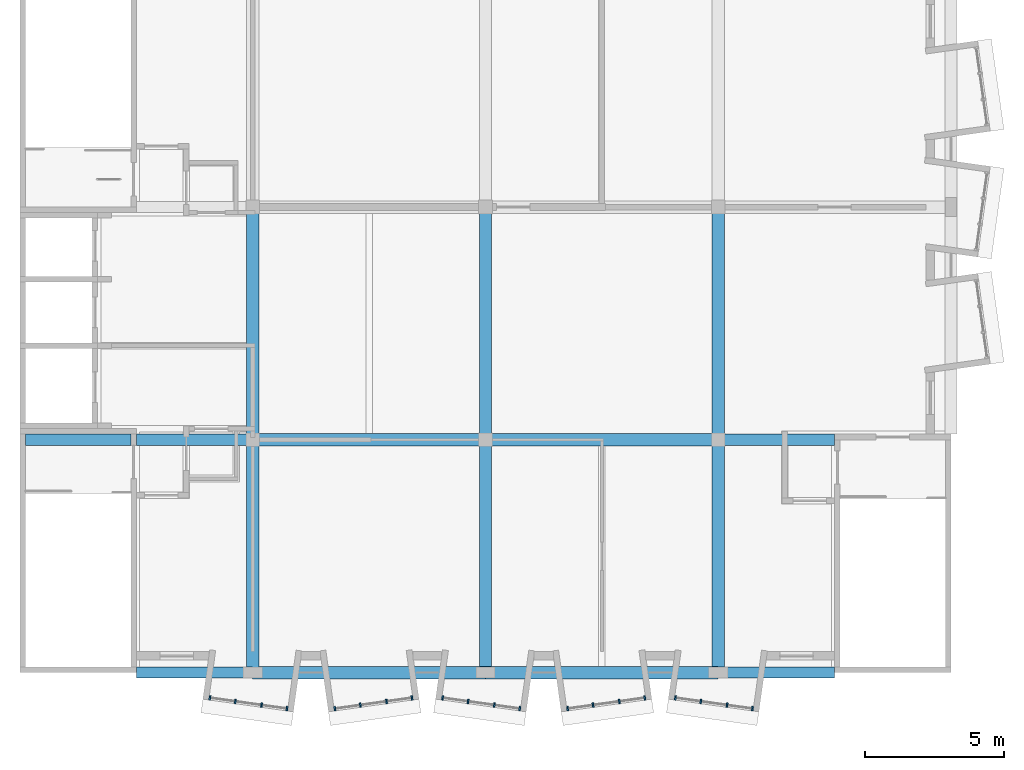
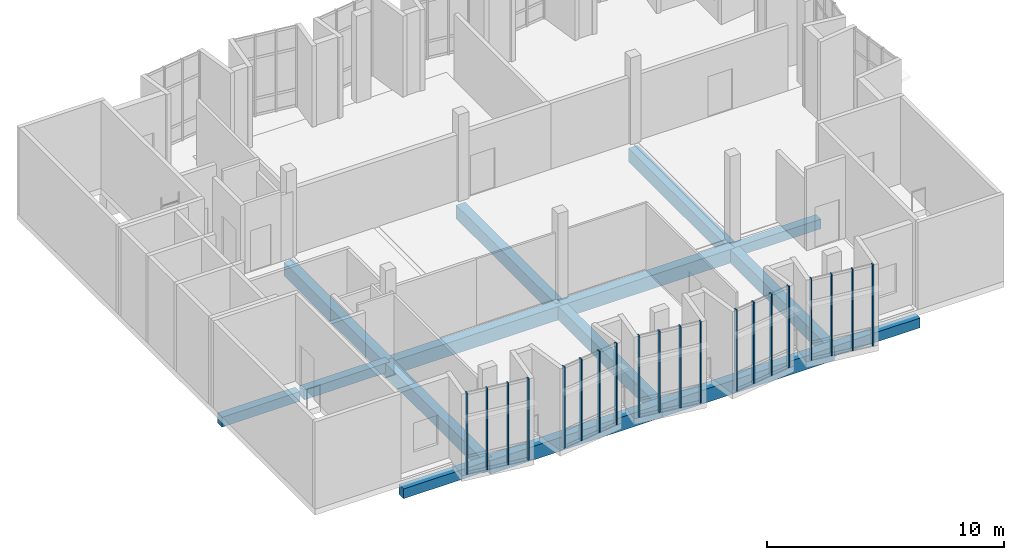
# One storey, part 2 of 15: 20 members, 15 beams, 5 elements without a shape of their own.
"""IFC4 building model written with IfcOpenShell, lengths in metres."""

from ifc_helpers import new_model, si_unit, direction, frame, origin, origin_2d, place, context, subcontext, project, spatial, rectangle, extrude, material, layer, layer_set, material_profile, profile_set, type_object, element, aggregate, save


model = new_model("IFC4")

# Units and contexts
model_context = context("Model", 3, precision=1e-05, world=origin(), true_north=direction((0.0, 1.0)))
body_context = subcontext(model_context, "Body", "Model", "MODEL_VIEW")
ifc_project = project(units=[si_unit("LENGTHUNIT", "METRE"), si_unit("AREAUNIT", "SQUARE_METRE"), si_unit("VOLUMEUNIT", "CUBIC_METRE"), si_unit("PLANEANGLEUNIT", "RADIAN"), si_unit("MASSUNIT", "GRAM", prefix="KILO")], contexts=[model_context])

# Site, building, storey
site_placement = place(None, origin())
site = spatial("IfcSite", under=ifc_project, at=site_placement, CompositionType="ELEMENT")
building_placement = place(site_placement, origin())
building = spatial("IfcBuilding", under=site, at=building_placement, Name="Kiln Court Media Centre", CompositionType="ELEMENT")
storey_placement = place(building_placement, frame((0.0, 0.0, 38.10009765625)))
storey = spatial("IfcBuildingStorey", under=building, at=storey_placement, Name="L08", CompositionType="ELEMENT", Elevation=38.10009765625)

# Curtain wall, members
ifc_material_1 = material(Name="Aluminium 6063-T6", Category="aluminium")
ifc_layer = layer(ifc_material_1, 0.1201171875)
ifc_layer_set = layer_set([ifc_layer], Name="Aluminium unitised bay curtain wall")
curtain_wall_type = type_object("IfcCurtainWallType", Name="Aluminium unitised bay curtain wall", PredefinedType="USERDEFINED", material=ifc_layer_set)
curtain_wall_1_placement = place(storey_placement, origin())
curtain_wall_1 = element("IfcCurtainWall", 1, at=curtain_wall_1_placement, inside=storey, type_object=curtain_wall_type, Name="BAY V6A-S-L08-55 front", ObjectType="UNITISED CURTAIN WALL", PredefinedType="USERDEFINED")
ifc_material_2 = material(Name="Aluminium 6063-T6", Category="aluminium")
ifc_material_profile_1 = material_profile(ifc_material_2, rectangle(XDim=0.06005859375, YDim=0.159912109375, at=origin_2d()), Name="Aluminium mullion 60x160")
ifc_profile_set_1 = profile_set([ifc_material_profile_1], Name="Aluminium 6063-T6")
member_type = type_object("IfcMemberType", Name="Aluminium mullion 60x160", PredefinedType="MULLION", material=ifc_profile_set_1)
member_1_placement = place(storey_placement, frame((6.852783203125, -0.91357421875, 0.0), z_axis=(0.0, 0.0, 1.0), x_axis=(0.990269562409, -0.139162472554, 0.0)))
member_1 = element("IfcMember", 2, at=member_1_placement, type_object=member_type, Name="CW8-10 mullion 1", PredefinedType="MULLION", context=body_context, shape_type="SweptSolid", body=[
    extrude(rectangle(XDim=0.06005859375, YDim=0.159912109375, at=origin_2d()), origin(), (0.0, 0.0, 1.0), 4.199951171875),
])
member_2_placement = place(storey_placement, frame((7.7705078125, -1.04248046875, 0.0), z_axis=(0.0, 0.0, 1.0), x_axis=(0.990269562409, -0.139162472554, 0.0)))
member_2 = element("IfcMember", 3, at=member_2_placement, type_object=member_type, Name="CW8-10 mullion 2", PredefinedType="MULLION", context=body_context, shape_type="SweptSolid", body=[
    extrude(rectangle(XDim=0.06005859375, YDim=0.159912109375, at=origin_2d()), origin(), (0.0, 0.0, 1.0), 4.199951171875),
])
member_3_placement = place(storey_placement, frame((8.7177734375, -1.17578125, 0.0), z_axis=(0.0, 0.0, 1.0), x_axis=(0.990269562409, -0.139162472554, 0.0)))
member_3 = element("IfcMember", 4, at=member_3_placement, type_object=member_type, Name="CW8-10 mullion 3", PredefinedType="MULLION", context=body_context, shape_type="SweptSolid", body=[
    extrude(rectangle(XDim=0.06005859375, YDim=0.159912109375, at=origin_2d()), origin(), (0.0, 0.0, 1.0), 4.199951171875),
])
member_4_placement = place(storey_placement, frame((9.635498046875, -1.3046875, 0.0), z_axis=(0.0, 0.0, 1.0), x_axis=(0.990269562409, -0.139162472554, 0.0)))
member_4 = element("IfcMember", 5, at=member_4_placement, type_object=member_type, Name="CW8-10 mullion 4", PredefinedType="MULLION", context=body_context, shape_type="SweptSolid", body=[
    extrude(rectangle(XDim=0.06005859375, YDim=0.159912109375, at=origin_2d()), origin(), (0.0, 0.0, 1.0), 4.199951171875),
])
aggregate(curtain_wall_1, [member_1, member_2, member_3, member_4])

curtain_wall_2_placement = place(storey_placement, origin())
curtain_wall_2 = element("IfcCurtainWall", 6, at=curtain_wall_2_placement, inside=storey, type_object=curtain_wall_type, Name="BAY V6A-S-L08-56 front", ObjectType="UNITISED CURTAIN WALL", PredefinedType="USERDEFINED")
member_5_placement = place(storey_placement, frame((11.364501953125, -1.3046875, 0.0), z_axis=(0.0, 0.0, 1.0), x_axis=(0.990269562409, 0.139162472554, 0.0)))
member_5 = element("IfcMember", 7, at=member_5_placement, type_object=member_type, Name="CW8-11 mullion 1", PredefinedType="MULLION", context=body_context, shape_type="SweptSolid", body=[
    extrude(rectangle(XDim=0.06005859375, YDim=0.159912109375, at=origin_2d()), origin(), (0.0, 0.0, 1.0), 4.199951171875),
])
member_6_placement = place(storey_placement, frame((12.2822265625, -1.17578125, 0.0), z_axis=(0.0, 0.0, 1.0), x_axis=(0.990269562409, 0.139162472554, 0.0)))
member_6 = element("IfcMember", 8, at=member_6_placement, type_object=member_type, Name="CW8-11 mullion 2", PredefinedType="MULLION", context=body_context, shape_type="SweptSolid", body=[
    extrude(rectangle(XDim=0.06005859375, YDim=0.159912109375, at=origin_2d()), origin(), (0.0, 0.0, 1.0), 4.199951171875),
])
member_7_placement = place(storey_placement, frame((13.2294921875, -1.04248046875, 0.0), z_axis=(0.0, 0.0, 1.0), x_axis=(0.990269562409, 0.139162472554, 0.0)))
member_7 = element("IfcMember", 9, at=member_7_placement, type_object=member_type, Name="CW8-11 mullion 3", PredefinedType="MULLION", context=body_context, shape_type="SweptSolid", body=[
    extrude(rectangle(XDim=0.06005859375, YDim=0.159912109375, at=origin_2d()), origin(), (0.0, 0.0, 1.0), 4.199951171875),
])
member_8_placement = place(storey_placement, frame((14.147216796875, -0.91357421875, 0.0), z_axis=(0.0, 0.0, 1.0), x_axis=(0.990269562409, 0.139162472554, 0.0)))
member_8 = element("IfcMember", 10, at=member_8_placement, type_object=member_type, Name="CW8-11 mullion 4", PredefinedType="MULLION", context=body_context, shape_type="SweptSolid", body=[
    extrude(rectangle(XDim=0.06005859375, YDim=0.159912109375, at=origin_2d()), origin(), (0.0, 0.0, 1.0), 4.199951171875),
])
aggregate(curtain_wall_2, [member_5, member_6, member_7, member_8])

curtain_wall_3_placement = place(storey_placement, origin())
curtain_wall_3 = element("IfcCurtainWall", 11, at=curtain_wall_3_placement, inside=storey, type_object=curtain_wall_type, Name="BAY V6A-S-L08-57 front", ObjectType="UNITISED CURTAIN WALL", PredefinedType="USERDEFINED")
member_9_placement = place(storey_placement, frame((15.2529296875, -0.91357421875, 0.0), z_axis=(0.0, 0.0, 1.0), x_axis=(0.990269562409, -0.139162472554, 0.0)))
member_9 = element("IfcMember", 12, at=member_9_placement, type_object=member_type, Name="CW8-12 mullion 1", PredefinedType="MULLION", context=body_context, shape_type="SweptSolid", body=[
    extrude(rectangle(XDim=0.06005859375, YDim=0.159912109375, at=origin_2d()), origin(), (0.0, 0.0, 1.0), 4.199951171875),
])
member_10_placement = place(storey_placement, frame((16.17041015625, -1.04248046875, 0.0), z_axis=(0.0, 0.0, 1.0), x_axis=(0.990269562409, -0.139162472554, 0.0)))
member_10 = element("IfcMember", 13, at=member_10_placement, type_object=member_type, Name="CW8-12 mullion 2", PredefinedType="MULLION", context=body_context, shape_type="SweptSolid", body=[
    extrude(rectangle(XDim=0.06005859375, YDim=0.159912109375, at=origin_2d()), origin(), (0.0, 0.0, 1.0), 4.199951171875),
])
member_11_placement = place(storey_placement, frame((17.117919921875, -1.17578125, 0.0), z_axis=(0.0, 0.0, 1.0), x_axis=(0.990269562409, -0.139162472554, 0.0)))
member_11 = element("IfcMember", 14, at=member_11_placement, type_object=member_type, Name="CW8-12 mullion 3", PredefinedType="MULLION", context=body_context, shape_type="SweptSolid", body=[
    extrude(rectangle(XDim=0.06005859375, YDim=0.159912109375, at=origin_2d()), origin(), (0.0, 0.0, 1.0), 4.199951171875),
])
member_12_placement = place(storey_placement, frame((18.035400390625, -1.3046875, 0.0), z_axis=(0.0, 0.0, 1.0), x_axis=(0.990269562409, -0.139162472554, 0.0)))
member_12 = element("IfcMember", 15, at=member_12_placement, type_object=member_type, Name="CW8-12 mullion 4", PredefinedType="MULLION", context=body_context, shape_type="SweptSolid", body=[
    extrude(rectangle(XDim=0.06005859375, YDim=0.159912109375, at=origin_2d()), origin(), (0.0, 0.0, 1.0), 4.199951171875),
])
aggregate(curtain_wall_3, [member_9, member_10, member_11, member_12])

curtain_wall_4_placement = place(storey_placement, origin())
curtain_wall_4 = element("IfcCurtainWall", 16, at=curtain_wall_4_placement, inside=storey, type_object=curtain_wall_type, Name="BAY V6A-S-L08-58 front", ObjectType="UNITISED CURTAIN WALL", PredefinedType="USERDEFINED")
member_13_placement = place(storey_placement, frame((19.764404296875, -1.3046875, 0.0), z_axis=(0.0, 0.0, 1.0), x_axis=(0.990269562409, 0.139162472554, 0.0)))
member_13 = element("IfcMember", 17, at=member_13_placement, type_object=member_type, Name="CW8-13 mullion 1", PredefinedType="MULLION", context=body_context, shape_type="SweptSolid", body=[
    extrude(rectangle(XDim=0.06005859375, YDim=0.159912109375, at=origin_2d()), origin(), (0.0, 0.0, 1.0), 4.199951171875),
])
member_14_placement = place(storey_placement, frame((20.68212890625, -1.17578125, 0.0), z_axis=(0.0, 0.0, 1.0), x_axis=(0.990269562409, 0.139162472554, 0.0)))
member_14 = element("IfcMember", 18, at=member_14_placement, type_object=member_type, Name="CW8-13 mullion 2", PredefinedType="MULLION", context=body_context, shape_type="SweptSolid", body=[
    extrude(rectangle(XDim=0.06005859375, YDim=0.159912109375, at=origin_2d()), origin(), (0.0, 0.0, 1.0), 4.199951171875),
])
member_15_placement = place(storey_placement, frame((21.629638671875, -1.04248046875, 0.0), z_axis=(0.0, 0.0, 1.0), x_axis=(0.990269562409, 0.139162472554, 0.0)))
member_15 = element("IfcMember", 19, at=member_15_placement, type_object=member_type, Name="CW8-13 mullion 3", PredefinedType="MULLION", context=body_context, shape_type="SweptSolid", body=[
    extrude(rectangle(XDim=0.06005859375, YDim=0.159912109375, at=origin_2d()), origin(), (0.0, 0.0, 1.0), 4.199951171875),
])
member_16_placement = place(storey_placement, frame((22.547119140625, -0.91357421875, 0.0), z_axis=(0.0, 0.0, 1.0), x_axis=(0.990269562409, 0.139162472554, 0.0)))
member_16 = element("IfcMember", 20, at=member_16_placement, type_object=member_type, Name="CW8-13 mullion 4", PredefinedType="MULLION", context=body_context, shape_type="SweptSolid", body=[
    extrude(rectangle(XDim=0.06005859375, YDim=0.159912109375, at=origin_2d()), origin(), (0.0, 0.0, 1.0), 4.199951171875),
])
aggregate(curtain_wall_4, [member_13, member_14, member_15, member_16])

curtain_wall_5_placement = place(storey_placement, origin())
curtain_wall_5 = element("IfcCurtainWall", 21, at=curtain_wall_5_placement, inside=storey, type_object=curtain_wall_type, Name="BAY V6A-S-L08-59 front", ObjectType="UNITISED CURTAIN WALL", PredefinedType="USERDEFINED")
member_17_placement = place(storey_placement, frame((23.65283203125, -0.91357421875, 0.0), z_axis=(0.0, 0.0, 1.0), x_axis=(0.990269562409, -0.139162472554, 0.0)))
member_17 = element("IfcMember", 22, at=member_17_placement, type_object=member_type, Name="CW8-14 mullion 1", PredefinedType="MULLION", context=body_context, shape_type="SweptSolid", body=[
    extrude(rectangle(XDim=0.06005859375, YDim=0.159912109375, at=origin_2d()), origin(), (0.0, 0.0, 1.0), 4.199951171875),
])
member_18_placement = place(storey_placement, frame((24.570556640625, -1.04248046875, 0.0), z_axis=(0.0, 0.0, 1.0), x_axis=(0.990269562409, -0.139162472554, 0.0)))
member_18 = element("IfcMember", 23, at=member_18_placement, type_object=member_type, Name="CW8-14 mullion 2", PredefinedType="MULLION", context=body_context, shape_type="SweptSolid", body=[
    extrude(rectangle(XDim=0.06005859375, YDim=0.159912109375, at=origin_2d()), origin(), (0.0, 0.0, 1.0), 4.199951171875),
])
member_19_placement = place(storey_placement, frame((25.517822265625, -1.17578125, 0.0), z_axis=(0.0, 0.0, 1.0), x_axis=(0.990269562409, -0.139162472554, 0.0)))
member_19 = element("IfcMember", 24, at=member_19_placement, type_object=member_type, Name="CW8-14 mullion 3", PredefinedType="MULLION", context=body_context, shape_type="SweptSolid", body=[
    extrude(rectangle(XDim=0.06005859375, YDim=0.159912109375, at=origin_2d()), origin(), (0.0, 0.0, 1.0), 4.199951171875),
])
member_20_placement = place(storey_placement, frame((26.435546875, -1.3046875, 0.0), z_axis=(0.0, 0.0, 1.0), x_axis=(0.990269562409, -0.139162472554, 0.0)))
member_20 = element("IfcMember", 25, at=member_20_placement, type_object=member_type, Name="CW8-14 mullion 4", PredefinedType="MULLION", context=body_context, shape_type="SweptSolid", body=[
    extrude(rectangle(XDim=0.06005859375, YDim=0.159912109375, at=origin_2d()), origin(), (0.0, 0.0, 1.0), 4.199951171875),
])
aggregate(curtain_wall_5, [member_17, member_18, member_19, member_20])

# Beams
ifc_material_3 = material(Name="Concrete C30/37", Category="concrete")
ifc_material_profile_2 = material_profile(ifc_material_3, rectangle(XDim=0.39990234375, YDim=0.5, at=origin_2d()), Name="RC 400x500")
ifc_profile_set_2 = profile_set([ifc_material_profile_2], Name="Concrete C30/37")
beam_type_1 = type_object("IfcBeamType", Name="Concrete C30/37 beam 400x500", PredefinedType="BEAM", material=ifc_profile_set_2)
for number, where, z_axis, x_axis, name in (
    (26, (4.199951171875, 0.0, -0.550048828125), (1.0, 0.0, 0.0), (0.0, 1.0, 0.0), "L08-B-1011"),
    (27, (25.199951171875, 0.0, -0.550048828125), (1.0, 0.0, 0.0), (0.0, 1.0, 0.0), "L08-B-1014"),
):
    element("IfcBeam", number, at=place(storey_placement, frame(where, z_axis=z_axis, x_axis=x_axis)), inside=storey, type_object=beam_type_1, Name=name, PredefinedType="BEAM", context=body_context, shape_type="SweptSolid", body=[
        extrude(rectangle(XDim=0.39990234375, YDim=0.5, at=origin_2d()), origin(), (0.0, 0.0, 1.0), 4.199951171875),
    ])
beam_1_placement = place(storey_placement, frame((0.199951171875, 8.39990234375, -0.550048828125), z_axis=(1.0, 0.0, 0.0), x_axis=(0.0, 1.0, 0.0)))
element("IfcBeam", 28, at=beam_1_placement, inside=storey, type_object=beam_type_1, Name="L08-B-1015", PredefinedType="BEAM", context=body_context, shape_type="SweptSolid", body=[
    extrude(rectangle(XDim=0.39990234375, YDim=0.5, at=origin_2d()), origin(), (0.0, 0.0, 1.0), 3.800048828125),
])
for number, where, z_axis, x_axis, name in (
    (29, (4.199951171875, 8.39990234375, -0.550048828125), (1.0, 0.0, 0.0), (0.0, 1.0, 0.0), "L08-B-1016"),
    (30, (25.199951171875, 8.39990234375, -0.550048828125), (1.0, 0.0, 0.0), (0.0, 1.0, 0.0), "L08-B-1019"),
):
    element("IfcBeam", number, at=place(storey_placement, frame(where, z_axis=z_axis, x_axis=x_axis)), inside=storey, type_object=beam_type_1, Name=name, PredefinedType="BEAM", context=body_context, shape_type="SweptSolid", body=[
        extrude(rectangle(XDim=0.39990234375, YDim=0.5, at=origin_2d()), origin(), (0.0, 0.0, 1.0), 4.199951171875),
    ])
ifc_material_4 = material(Name="Concrete C30/37", Category="concrete")
ifc_material_profile_3 = material_profile(ifc_material_4, rectangle(XDim=0.449951171875, YDim=0.699951171875, at=origin_2d()), Name="RC 450x700")
ifc_profile_set_3 = profile_set([ifc_material_profile_3], Name="Concrete C30/37")
beam_type_2 = type_object("IfcBeamType", Name="Concrete C30/37 beam 450x700", PredefinedType="BEAM", material=ifc_profile_set_3)
beam_2_placement = place(storey_placement, frame((8.39990234375, 0.0, -0.650146484375), z_axis=(0.0, 1.0, 0.0), x_axis=(-1.0, 0.0, 0.0)))
element("IfcBeam", 31, at=beam_2_placement, inside=storey, type_object=beam_type_2, Name="L08-B-1000", PredefinedType="BEAM", context=body_context, shape_type="SweptSolid", body=[
    extrude(rectangle(XDim=0.449951171875, YDim=0.699951171875, at=origin_2d()), origin(), (0.0, 0.0, 1.0), 8.39990234375),
])
beam_3_placement = place(storey_placement, frame((8.39990234375, 8.39990234375, -0.650146484375), z_axis=(0.0, 1.0, 0.0), x_axis=(-1.0, 0.0, 0.0)))
element("IfcBeam", 32, at=beam_3_placement, inside=storey, type_object=beam_type_2, Name="L08-B-1001", PredefinedType="BEAM", context=body_context, shape_type="SweptSolid", body=[
    extrude(rectangle(XDim=0.449951171875, YDim=0.699951171875, at=origin_2d()), origin(), (0.0, 0.0, 1.0), 8.400146484375),
])
beam_4_placement = place(storey_placement, frame((16.800048828125, 0.0, -0.650146484375), z_axis=(0.0, 1.0, 0.0), x_axis=(-1.0, 0.0, 0.0)))
element("IfcBeam", 33, at=beam_4_placement, inside=storey, type_object=beam_type_2, Name="L08-B-1003", PredefinedType="BEAM", context=body_context, shape_type="SweptSolid", body=[
    extrude(rectangle(XDim=0.449951171875, YDim=0.699951171875, at=origin_2d()), origin(), (0.0, 0.0, 1.0), 8.39990234375),
])
beam_5_placement = place(storey_placement, frame((16.800048828125, 8.39990234375, -0.650146484375), z_axis=(0.0, 1.0, 0.0), x_axis=(-1.0, 0.0, 0.0)))
element("IfcBeam", 34, at=beam_5_placement, inside=storey, type_object=beam_type_2, Name="L08-B-1004", PredefinedType="BEAM", context=body_context, shape_type="SweptSolid", body=[
    extrude(rectangle(XDim=0.449951171875, YDim=0.699951171875, at=origin_2d()), origin(), (0.0, 0.0, 1.0), 8.400146484375),
])
beam_6_placement = place(storey_placement, frame((25.199951171875, 0.0, -0.650146484375), z_axis=(0.0, 1.0, 0.0), x_axis=(-1.0, 0.0, 0.0)))
element("IfcBeam", 35, at=beam_6_placement, inside=storey, type_object=beam_type_2, Name="L08-B-1006", PredefinedType="BEAM", context=body_context, shape_type="SweptSolid", body=[
    extrude(rectangle(XDim=0.449951171875, YDim=0.699951171875, at=origin_2d()), origin(), (0.0, 0.0, 1.0), 8.39990234375),
])
for number, where, z_axis, x_axis, name in (
    (36, (25.199951171875, 8.39990234375, -0.650146484375), (0.0, 1.0, 0.0), (-1.0, 0.0, 0.0), "L08-B-1007"),
    (37, (8.39990234375, 0.0, -0.650146484375), (1.0, 0.0, 0.0), (0.0, 1.0, 0.0), "L08-B-1012"),
):
    element("IfcBeam", number, at=place(storey_placement, frame(where, z_axis=z_axis, x_axis=x_axis)), inside=storey, type_object=beam_type_2, Name=name, PredefinedType="BEAM", context=body_context, shape_type="SweptSolid", body=[
        extrude(rectangle(XDim=0.449951171875, YDim=0.699951171875, at=origin_2d()), origin(), (0.0, 0.0, 1.0), 8.400146484375),
    ])
beam_7_placement = place(storey_placement, frame((16.800048828125, 0.0, -0.650146484375), z_axis=(1.0, 0.0, 0.0), x_axis=(0.0, 1.0, 0.0)))
element("IfcBeam", 38, at=beam_7_placement, inside=storey, type_object=beam_type_2, Name="L08-B-1013", PredefinedType="BEAM", context=body_context, shape_type="SweptSolid", body=[
    extrude(rectangle(XDim=0.449951171875, YDim=0.699951171875, at=origin_2d()), origin(), (0.0, 0.0, 1.0), 8.39990234375),
])
beam_8_placement = place(storey_placement, frame((8.39990234375, 8.39990234375, -0.650146484375), z_axis=(1.0, 0.0, 0.0), x_axis=(0.0, 1.0, 0.0)))
element("IfcBeam", 39, at=beam_8_placement, inside=storey, type_object=beam_type_2, Name="L08-B-1017", PredefinedType="BEAM", context=body_context, shape_type="SweptSolid", body=[
    extrude(rectangle(XDim=0.449951171875, YDim=0.699951171875, at=origin_2d()), origin(), (0.0, 0.0, 1.0), 8.400146484375),
])
beam_9_placement = place(storey_placement, frame((16.800048828125, 8.39990234375, -0.650146484375), z_axis=(1.0, 0.0, 0.0), x_axis=(0.0, 1.0, 0.0)))
element("IfcBeam", 40, at=beam_9_placement, inside=storey, type_object=beam_type_2, Name="L08-B-1018", PredefinedType="BEAM", context=body_context, shape_type="SweptSolid", body=[
    extrude(rectangle(XDim=0.449951171875, YDim=0.699951171875, at=origin_2d()), origin(), (0.0, 0.0, 1.0), 8.39990234375),
])

save(model, "model.ifc")
